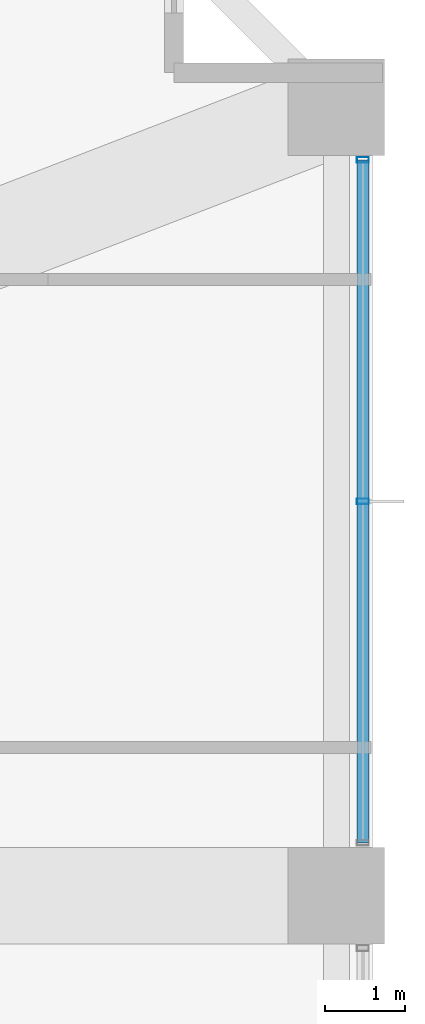
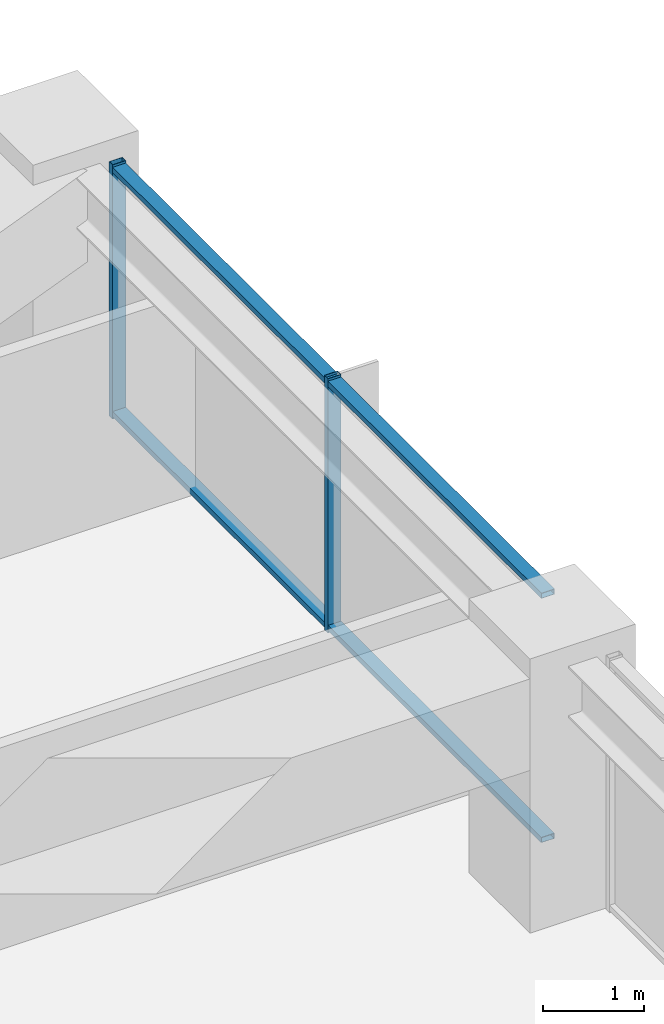
# One storey, part 24 of 37: 4 members, 1 element without a shape of its own.
"""IFC4 building model written with IfcOpenShell, lengths in metres."""

from ifc_helpers import new_model, si_unit, direction, frame, origin, origin_2d, place, context, subcontext, project, spatial, hollow_rectangle, extrude, material, material_profile, profile_set, type_object, element, aggregate, save


model = new_model("IFC4")

# Units and contexts
model_context = context("Model", 3, precision=1e-05, world=origin(), true_north=direction((0.0, 1.0)))
body_context = subcontext(model_context, "Body", "Model", "MODEL_VIEW")
ifc_project = project(units=[si_unit("LENGTHUNIT", "METRE"), si_unit("AREAUNIT", "SQUARE_METRE"), si_unit("VOLUMEUNIT", "CUBIC_METRE"), si_unit("PLANEANGLEUNIT", "RADIAN"), si_unit("MASSUNIT", "GRAM", prefix="KILO")], contexts=[model_context])

# Site, building, storey
site_placement = place(None, origin())
site = spatial("IfcSite", under=ifc_project, at=site_placement, CompositionType="ELEMENT")
building_placement = place(site_placement, origin())
building = spatial("IfcBuilding", under=site, at=building_placement, Name="Kolvaren Belvedere", CompositionType="ELEMENT")
storey_placement = place(building_placement, frame((0.0, 0.0, 37.0)))
storey = spatial("IfcBuildingStorey", under=building, at=storey_placement, Name="L10", CompositionType="ELEMENT", Elevation=37.0)

# Curtain wall, members
ifc_material_1 = material(Name="Anodised pale-metal aluminium AA 6063-T6", Category="aluminium")
curtain_wall_type = type_object("IfcCurtainWallType", Name="CW-Z1-LOW", PredefinedType="NOTDEFINED", material=ifc_material_1)
curtain_wall_placement = place(storey_placement, origin())
curtain_wall = element("IfcCurtainWall", 1, at=curtain_wall_placement, inside=storey, type_object=curtain_wall_type, Name="L10 Unitised Curtain Wall FCW-L10-E-B1", PredefinedType="NOTDEFINED")
ifc_material_2 = material(Name="Anodised pale-metal aluminium AA 6063-T6", Category="aluminium")
ifc_material_profile_1 = material_profile(ifc_material_2, hollow_rectangle(XDim=0.070068359375, YDim=0.14990234375, WallThickness=0.004150390625, at=origin_2d()), Name="ALU-MUL-150X70")
ifc_profile_set_1 = profile_set([ifc_material_profile_1], Name="Anodised pale-metal aluminium AA 6063-T6")
member_type_1 = type_object("IfcMemberType", Name="CW-MUL-150", PredefinedType="MULLION", material=ifc_profile_set_1)
member_1_placement = place(storey_placement, frame((21.8798828125, 13.7451171875, 0.0), z_axis=(0.0, 0.0, 1.0), x_axis=(0.0, 1.0, 0.0)))
member_1 = element("IfcMember", 2, at=member_1_placement, type_object=member_type_1, Name="FCW-L10-E-B1 Unitised Mullion 1", PredefinedType="MULLION", context=body_context, shape_type="SweptSolid", body=[
    extrude(hollow_rectangle(XDim=0.070068359375, YDim=0.14990234375, WallThickness=0.004150390625, at=origin_2d()), origin(), (0.0, 0.0, 1.0), 3.06005859375),
])
member_2_placement = place(storey_placement, frame((21.8798828125, 9.5, 0.0), z_axis=(0.0, 0.0, 1.0), x_axis=(0.0, 1.0, 0.0)))
member_2 = element("IfcMember", 3, at=member_2_placement, type_object=member_type_1, Name="FCW-L10-E-B1 Unitised Mullion 2", PredefinedType="MULLION", context=body_context, shape_type="SweptSolid", body=[
    extrude(hollow_rectangle(XDim=0.070068359375, YDim=0.14990234375, WallThickness=0.004150390625, at=origin_2d()), origin(), (0.0, 0.0, 1.0), 3.06005859375),
])
ifc_material_3 = material(Name="Anodised pale-metal aluminium AA 6063-T6", Category="aluminium")
ifc_material_profile_2 = material_profile(ifc_material_3, hollow_rectangle(XDim=0.06494140625, YDim=0.14990234375, WallThickness=0.00390625, at=origin_2d()), Name="ALU-TRN-150X65")
ifc_profile_set_2 = profile_set([ifc_material_profile_2], Name="Anodised pale-metal aluminium AA 6063-T6")
member_type_2 = type_object("IfcMemberType", Name="CW-TRN-150", PredefinedType="USERDEFINED", material=ifc_profile_set_2)
member_3_placement = place(storey_placement, frame((21.8798828125, 13.7451171875, 0.06005859375), z_axis=(0.0, -1.0, 0.0), x_axis=(0.0, 0.0, 1.0)))
member_3 = element("IfcMember", 4, at=member_3_placement, type_object=member_type_2, Name="FCW-L10-E-B1 Sill Transom", ObjectType="TRANSOM", PredefinedType="USERDEFINED", context=body_context, shape_type="SweptSolid", body=[
    extrude(hollow_rectangle(XDim=0.06494140625, YDim=0.14990234375, WallThickness=0.00390625, at=origin_2d()), origin(), (0.0, 0.0, 1.0), 8.490234375),
])
member_4_placement = place(storey_placement, frame((21.8798828125, 13.7451171875, 3.0), z_axis=(0.0, -1.0, 0.0), x_axis=(0.0, 0.0, 1.0)))
member_4 = element("IfcMember", 5, at=member_4_placement, type_object=member_type_2, Name="FCW-L10-E-B1 Head Transom", ObjectType="TRANSOM", PredefinedType="USERDEFINED", context=body_context, shape_type="SweptSolid", body=[
    extrude(hollow_rectangle(XDim=0.06494140625, YDim=0.14990234375, WallThickness=0.00390625, at=origin_2d()), origin(), (0.0, 0.0, 1.0), 8.490234375),
])
aggregate(curtain_wall, [member_1, member_2, member_3, member_4])

save(model, "model.ifc")
